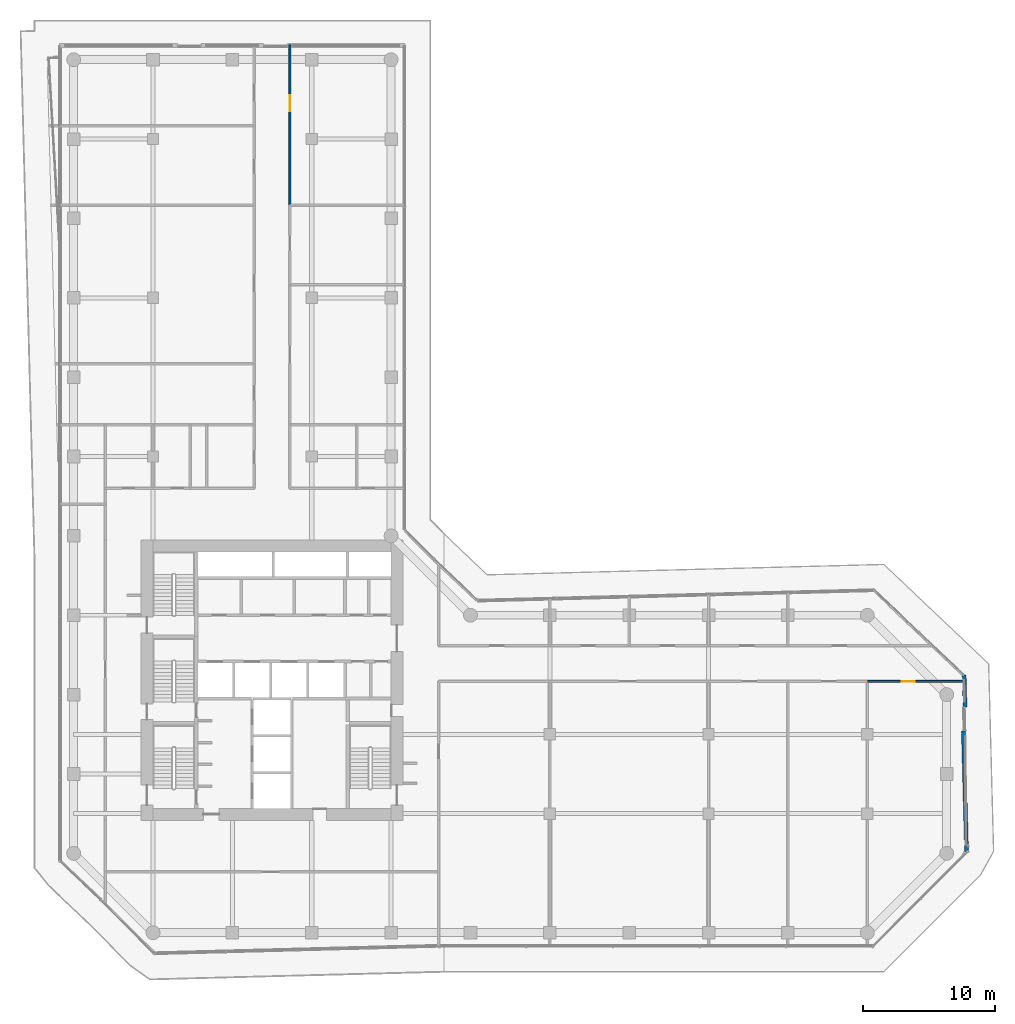
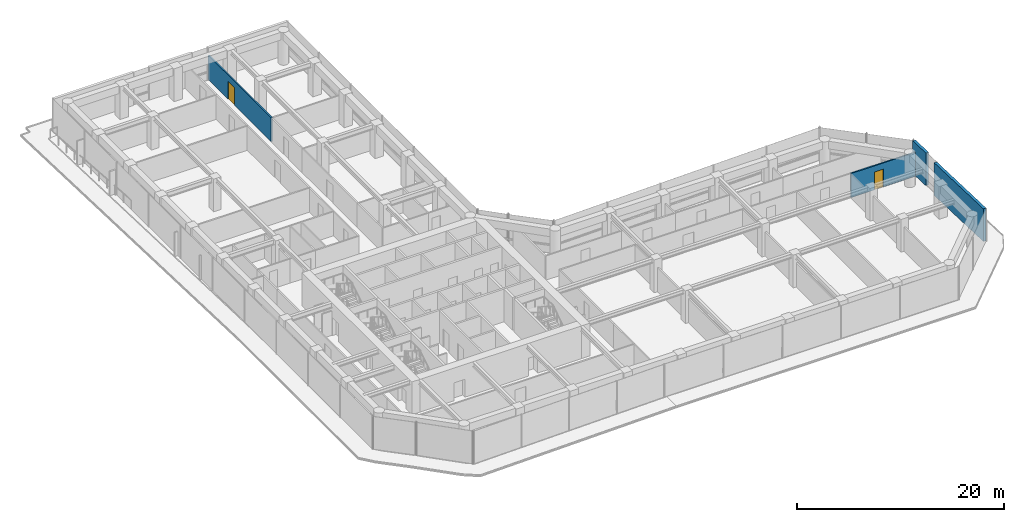
# One storey, part 26 of 29: 4 walls, 2 doors, 2 openings.
"""IFC4 building model written with IfcOpenShell, lengths in metres."""

from ifc_helpers import new_model, si_unit, direction, frame, frame_2d, origin, place, context, subcontext, project, spatial, rectangle, extrude, material, layer, layer_set, type_object, element, fill, save


model = new_model("IFC4")

# Units and contexts
model_context = context("Model", 3, precision=1e-05, world=origin(), true_north=direction((0.0, 1.0)))
body_context = subcontext(model_context, "Body", "Model", "MODEL_VIEW")
ifc_project = project(units=[si_unit("LENGTHUNIT", "METRE"), si_unit("AREAUNIT", "SQUARE_METRE"), si_unit("VOLUMEUNIT", "CUBIC_METRE"), si_unit("PLANEANGLEUNIT", "RADIAN"), si_unit("MASSUNIT", "GRAM", prefix="KILO")], contexts=[model_context])

# Site, building, storey
site_placement = place(None, origin())
site = spatial("IfcSite", under=ifc_project, at=site_placement, CompositionType="ELEMENT")
building_placement = place(site_placement, origin())
building = spatial("IfcBuilding", under=site, at=building_placement, Name="Welwitschia Terrace Campus", CompositionType="ELEMENT")
storey_placement = place(building_placement, frame((0.0, 0.0, 58.39990234375)))
storey = spatial("IfcBuildingStorey", under=building, at=storey_placement, Name="L13", CompositionType="ELEMENT", Elevation=58.39990234375)

# Wall, opening, door
ifc_material_1 = material(Name="Gypsum board on steel studs", Category="steel")
ifc_layer_1 = layer(ifc_material_1, 0.14990234375)
ifc_layer_set_1 = layer_set([ifc_layer_1], Name="Gypsum board on steel studs")
wall_type_1 = type_object("IfcWallType", Name="Corridor partition 150 EI 30", PredefinedType="PARTITIONING", material=ifc_layer_set_1)
wall_1_placement = place(storey_placement, frame((16.35009765625, 63.117919921875, 0.0), z_axis=(0.0, 0.0, 1.0), x_axis=(0.0, -1.0, 0.0)))
wall_1 = element("IfcWall", 1, at=wall_1_placement, inside=storey, type_object=wall_type_1, Name="Partition", PredefinedType="PARTITIONING", context=body_context, shape_type="SweptSolid", body=[
    extrude(rectangle(XDim=12.117919921875, YDim=0.14990234375, at=frame_2d((6.05908203125, 0.0))), origin(), (0.0, 0.0, 1.0), 2.830078125),
])
opening_1_placement = place(wall_1_placement, frame((3.818115234375, 0.0, 0.0)))
opening_1 = element("IfcOpeningElement", 2, at=opening_1_placement, cuts=wall_1, Name="Opening DI12", PredefinedType="OPENING", context=body_context, shape_type="SweptSolid", body=[
    extrude(rectangle(XDim=1.199951171875, YDim=2.10009765625, at=frame_2d((0.60009765625, 1.050048828125))), frame((0.0, 0.0849609375, 0.0), z_axis=(0.0, -1.0, 0.0), x_axis=(1.0, 0.0, 0.0)), (0.0, 0.0, 1.0), 0.169921875),
])
ifc_material_2 = material(Name="Timber veneered door", Category="wood")
door_type_1 = type_object("IfcDoorType", Name="Interior door DI12", OperationType="NOTDEFINED", PredefinedType="DOOR", material=ifc_material_2)
door_1_placement = place(opening_1_placement, origin())
door_1 = element("IfcDoor", 3, at=door_1_placement, inside=storey, type_object=door_type_1, Name="Door L13 300", OperationType="SINGLE_SWING_LEFT", OverallHeight=2.10009765625, OverallWidth=1.199951171875, PredefinedType="DOOR", context=body_context, shape_type="SweptSolid", body=[
    extrude(rectangle(XDim=1.199951171875, YDim=2.10009765625, at=frame_2d((0.60009765625, 1.050048828125))), frame((0.0, 0.02490234375, 0.0), z_axis=(0.0, -1.0, 0.0), x_axis=(1.0, 0.0, 0.0)), (0.0, 0.0, 1.0), 0.050048828125),
])
fill(opening_1, door_1)

wall_2_placement = place(storey_placement, frame((67.374755859375, 15.0, 0.0), z_axis=(0.0, 0.0, 1.0), x_axis=(-1.0, 0.0, 0.0)))
wall_2 = element("IfcWall", 4, at=wall_2_placement, inside=storey, type_object=wall_type_1, Name="Partition", PredefinedType="PARTITIONING", context=body_context, shape_type="SweptSolid", body=[
    extrude(rectangle(XDim=7.374755859375, YDim=0.14990234375, at=frame_2d((3.6875, 0.0))), origin(), (0.0, 0.0, 1.0), 2.830078125),
])
opening_2_placement = place(wall_2_placement, frame((3.77490234375, 0.0, 0.0)))
opening_2 = element("IfcOpeningElement", 5, at=opening_2_placement, cuts=wall_2, Name="Opening DI10", PredefinedType="OPENING", context=body_context, shape_type="SweptSolid", body=[
    extrude(rectangle(XDim=1.0, YDim=2.10009765625, at=frame_2d((0.5, 1.050048828125))), frame((0.0, 0.0849609375, 0.0), z_axis=(0.0, -1.0, 0.0), x_axis=(1.0, 0.0, 0.0)), (0.0, 0.0, 1.0), 0.169921875),
])
ifc_material_3 = material(Name="Timber veneered door", Category="wood")
door_type_2 = type_object("IfcDoorType", Name="Interior door DI10", OperationType="NOTDEFINED", PredefinedType="DOOR", material=ifc_material_3)
door_2_placement = place(opening_2_placement, origin())
door_2 = element("IfcDoor", 6, at=door_2_placement, inside=storey, type_object=door_type_2, Name="Door L13 312", OperationType="SINGLE_SWING_LEFT", OverallHeight=2.10009765625, OverallWidth=1.0, PredefinedType="DOOR", context=body_context, shape_type="SweptSolid", body=[
    extrude(rectangle(XDim=1.0, YDim=2.10009765625, at=frame_2d((0.5, 1.050048828125))), frame((0.0, 0.02490234375, 0.0), z_axis=(0.0, -1.0, 0.0), x_axis=(1.0, 0.0, 0.0)), (0.0, 0.0, 1.0), 0.050048828125),
])
fill(opening_2, door_2)

# Walls
ifc_material_4 = material(Name="Concrete C40/50", Category="concrete")
ifc_layer_2 = layer(ifc_material_4, 0.300048828125)
ifc_layer_set_2 = layer_set([ifc_layer_2], Name="Concrete C40/50")
wall_type_2 = type_object("IfcWallType", Name="Mass wall 300", PredefinedType="SOLIDWALL", material=ifc_layer_set_2)
wall_3_placement = place(storey_placement, frame((67.501220703125, 2.15087890625, 0.0), z_axis=(0.0, 0.0, 1.0), x_axis=(-0.026185328367, 0.999657105501, 0.0)))
element("IfcWall", 7, at=wall_3_placement, inside=storey, type_object=wall_type_2, Name="Mass wall L13.5.0", PredefinedType="SOLIDWALL", context=body_context, shape_type="SweptSolid", body=[
    extrude(rectangle(XDim=9.099853515625, YDim=0.300048828125, at=frame_2d((4.5498046875, 0.0))), origin(), (0.0, 0.0, 1.0), 3.85009765625),
])
wall_4_placement = place(storey_placement, frame((67.38671875, 13.05126953125, 0.0), z_axis=(0.0, 0.0, 1.0), x_axis=(-0.026187944058, 0.999657036981, 0.0)))
element("IfcWall", 8, at=wall_4_placement, inside=storey, type_object=wall_type_2, Name="Mass wall L13.5.1", PredefinedType="SOLIDWALL", context=body_context, shape_type="SweptSolid", body=[
    extrude(rectangle(XDim=2.43310546875, YDim=0.300048828125, at=frame_2d((1.216552734375, 0.0))), origin(), (0.0, 0.0, 1.0), 3.85009765625),
])

save(model, "model.ifc")
